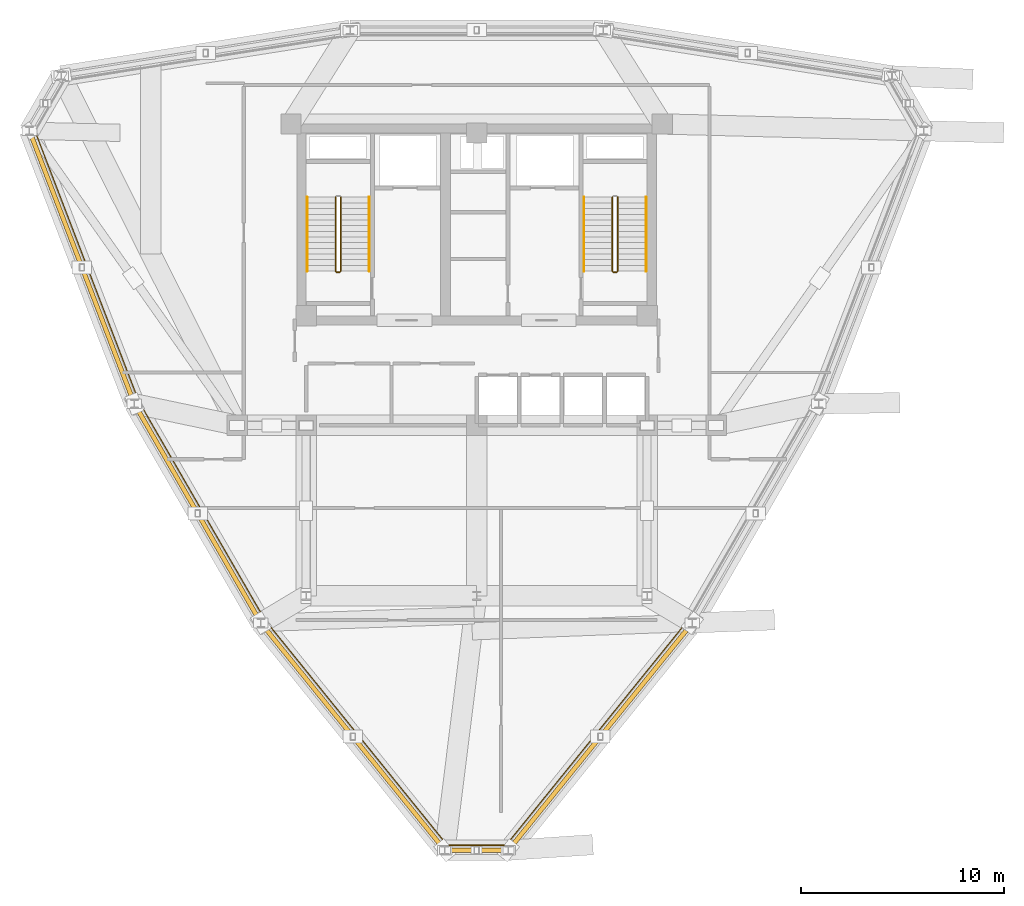
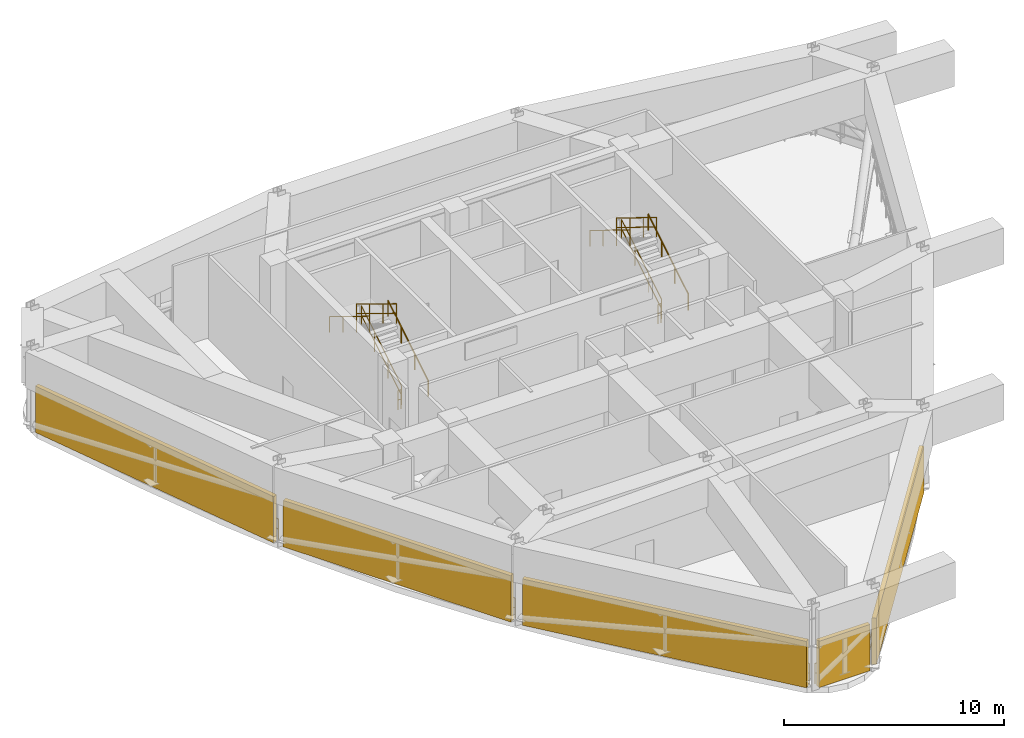
# One storey, part 10 of 12: 15 railings, 5 shading devices.
"""IFC4 building model written with IfcOpenShell, lengths in metres."""

import ifcopenshell
import ifcopenshell.guid

model = None  # the IFC model being written
_history = None  # IfcOwnerHistory: only IFC2X3 demands one
_inside = {}  # id of a spatial element -> (the spatial element, [elements in it])
_under = {}  # id of a project, library or spatial element -> (it, [spatial elements below it])
_declared = {}  # id of a project -> (the project, [libraries it declares])
_typed = {}  # id of a type object -> (the type object, [elements of that type])
_made_of = {}  # id of a material, layer set ... -> (it, [elements and type objects made of it])


def new_model(schema):
    """Start an empty IFC model of exactly this schema.

    Asked for "IFC4X3", IfcOpenShell would pick the latest addendum, in which some entities
    have other attributes; the version numbers below select the first issue.
    IFC2X3 requires an IfcOwnerHistory on every rooted entity: one is made here for all.
    """
    global model, _history
    if schema == "IFC4X3":
        model = ifcopenshell.file(schema_version=(4, 3, 0, 0))
    else:
        model = ifcopenshell.file(schema=schema)
    _inside.clear()
    _under.clear()
    _declared.clear()
    _typed.clear()
    _made_of.clear()
    _history = None
    if model.schema == "IFC2X3":
        org = make("IfcOrganization", Name="unknown")
        user = make(
            "IfcPersonAndOrganization",
            ThePerson=make("IfcPerson", FamilyName="unknown"),
            TheOrganization=org,
        )
        app = make(
            "IfcApplication",
            ApplicationDeveloper=org,
            Version="unknown",
            ApplicationFullName="unknown",
            ApplicationIdentifier="unknown",
        )
        _history = make(
            "IfcOwnerHistory",
            OwningUser=user,
            OwningApplication=app,
            ChangeAction="ADDED",
            CreationDate=0,
        )
    return model


def make(cls, **values):
    """One entity of the class cls with the attributes given. An attribute that is None is left unset."""
    return model.create_entity(
        cls, **{name: value for name, value in values.items() if value is not None}
    )


def rooted(cls, **values):
    """An entity with a GlobalId (a new one), such as an element, a storey or a relation."""
    return make(cls, GlobalId=ifcopenshell.guid.new(), OwnerHistory=_history, **values)


def si_unit(unit_type, name, prefix=None):
    """IfcSIUnit, for example si_unit("LENGTHUNIT", "METRE", prefix="MILLI")."""
    return make("IfcSIUnit", UnitType=unit_type, Prefix=prefix, Name=name)


def derived_unit(unit_type, elements):
    """IfcDerivedUnit: a product of units, each with its exponent."""
    return make(
        "IfcDerivedUnit",
        Elements=[
            make("IfcDerivedUnitElement", Unit=unit, Exponent=power)
            for unit, power in elements
        ],
        UnitType=unit_type,
    )


def assignment(units):
    """IfcUnitAssignment: the units of a project."""
    return None if units is None else make("IfcUnitAssignment", Units=units)


def point(xyz):
    """IfcCartesianPoint."""
    return None if xyz is None else make("IfcCartesianPoint", Coordinates=xyz)


def direction(xyz):
    """IfcDirection."""
    return None if xyz is None else make("IfcDirection", DirectionRatios=xyz)


def frame(location, z_axis=None, x_axis=None):
    """IfcAxis2Placement3D, a coordinate frame: its origin and axes. An axis left out is left unset."""
    return make(
        "IfcAxis2Placement3D",
        Location=point(location),
        Axis=direction(z_axis),
        RefDirection=direction(x_axis),
    )


def frame_2d(location, x_axis=None):
    """IfcAxis2Placement2D, a coordinate frame in the plane: its origin and x axis."""
    return make(
        "IfcAxis2Placement2D", Location=point(location), RefDirection=direction(x_axis)
    )


def origin():
    """The frame at (0, 0, 0) with its axes left unset."""
    return frame((0.0, 0.0, 0.0))


def origin_2d():
    """The frame at (0, 0) in the plane with its x axis left unset."""
    return frame_2d((0.0, 0.0))


def place(relative_to, where):
    """IfcLocalPlacement: puts the frame where relative to a parent placement (None: the world)."""
    return make(
        "IfcLocalPlacement", PlacementRelTo=relative_to, RelativePlacement=where
    )


def context(
    kind, dimensions, precision=None, world=None, true_north=None, identifier=None
):
    """IfcGeometricRepresentationContext, for example the 3D "Model" context."""
    return make(
        "IfcGeometricRepresentationContext",
        ContextIdentifier=identifier,
        ContextType=kind,
        CoordinateSpaceDimension=dimensions,
        Precision=precision,
        WorldCoordinateSystem=world,
        TrueNorth=true_north,
    )


def subcontext(parent, identifier, kind, view, scale=None):
    """IfcGeometricRepresentationSubContext, for example "Body" below "Model"."""
    return make(
        "IfcGeometricRepresentationSubContext",
        ContextIdentifier=identifier,
        ContextType=kind,
        ParentContext=parent,
        TargetScale=scale,
        TargetView=view,
    )


def project(units=None, contexts=None):
    """IfcProject with its units and contexts."""
    return rooted(
        "IfcProject",
        Name="project",
        RepresentationContexts=contexts,
        UnitsInContext=assignment(units),
    )


def spatial(cls, under=None, at=None, **own):
    """A site, building, storey or space (cls), placed at a placement, below another one or the project."""
    s = rooted(cls, ObjectPlacement=at, **own)
    if under is not None:
        _under.setdefault(under.id(), (under, []))[1].append(s)
    return s


def polyline(points):
    """IfcPolyline through the points."""
    return make("IfcPolyline", Points=[point(p) for p in points])


def profile(cls, at=None, kind="AREA", **sizes):
    """A parametric profile (cls). Its sizes go by their IFC names, for example OverallWidth=200.0."""
    return make(cls, ProfileType=kind, Position=at, **sizes)


def circle(**sizes):
    """IfcCircleProfileDef."""
    return profile("IfcCircleProfileDef", **sizes)


def outline(outer, holes=None, kind="AREA"):
    """IfcArbitraryClosedProfileDef: a profile drawn as a closed curve; with holes, ...WithVoids."""
    if holes is None:
        return make("IfcArbitraryClosedProfileDef", ProfileType=kind, OuterCurve=outer)
    return make(
        "IfcArbitraryProfileDefWithVoids",
        ProfileType=kind,
        OuterCurve=outer,
        InnerCurves=holes,
    )


def extrude(swept, where, along, depth):
    """IfcExtrudedAreaSolid: the profile swept, set in the frame where, extruded along a direction by depth."""
    return make(
        "IfcExtrudedAreaSolid",
        SweptArea=swept,
        Position=where,
        ExtrudedDirection=direction(along),
        Depth=depth,
    )


def shape(context_of_items, identifier, shape_type, items):
    """IfcShapeRepresentation: the items that make up one representation, for example the "Body"."""
    return make(
        "IfcShapeRepresentation",
        ContextOfItems=context_of_items,
        RepresentationIdentifier=identifier,
        RepresentationType=shape_type,
        Items=items,
    )


def material(Name=None, Category=None):
    """IfcMaterial."""
    return make("IfcMaterial", Name=Name, Category=Category)


def layer(
    of_material, thickness, ventilated=None, Name=None, Category=None, Priority=None
):
    """IfcMaterialLayer: one layer of a wall or slab, of a material (None: an air gap)."""
    return make(
        "IfcMaterialLayer",
        Material=of_material,
        LayerThickness=thickness,
        IsVentilated=ventilated,
        Name=Name,
        Category=Category,
        Priority=Priority,
    )


def layer_set(layers, Name=None):
    """IfcMaterialLayerSet."""
    return make("IfcMaterialLayerSet", MaterialLayers=layers, LayerSetName=Name)


def made_of(thing, what):
    """Note that an element or type object is made of a material, layer set ...; save() writes the relation."""
    if what is not None:
        _made_of.setdefault(what.id(), (what, []))[1].append(thing)
    return thing


def type_object(cls, material=None, **own):
    """A type object (cls), such as IfcWallType, which elements share."""
    return made_of(rooted(cls, **own), material)


def element(
    cls,
    number,
    at=None,
    inside=None,
    cuts=None,
    type_object=None,
    material=None,
    context=None,
    identifier="Body",
    shape_type=None,
    held_by="IfcProductDefinitionShape",
    body=None,
    shapes=None,
    **own,
):
    """One element of the class cls, such as IfcWall. Its Tag is "e" and its number.

    at: its placement. inside: the storey or other place that contains it. cuts: it is an
    opening in that element (IfcRelVoidsElement). A single representation is given by context,
    identifier, shape_type and body (its items); several are given by shapes. held_by: the class
    of the entity that holds the representations. save() writes the other relations.
    """
    e = rooted(cls, Tag="e%d" % number, ObjectPlacement=at, **own)
    if body is not None:
        shapes = [shape(context, identifier, shape_type, body)]
    if shapes is not None:
        e.Representation = make(held_by, Representations=shapes)
    if inside is not None:
        _inside.setdefault(inside.id(), (inside, []))[1].append(e)
    if cuts is not None:
        rooted(
            "IfcRelVoidsElement", RelatingBuildingElement=cuts, RelatedOpeningElement=e
        )
    if type_object is not None:
        _typed.setdefault(type_object.id(), (type_object, []))[1].append(e)
    return made_of(e, material)


def aggregate(whole, parts):
    """IfcRelAggregates: a whole, such as a stair, and the parts it consists of."""
    return rooted("IfcRelAggregates", RelatingObject=whole, RelatedObjects=parts)


def save(model, path):
    """Write the relations noted so far, then the file.

    IfcRelAggregates (storeys below a building ...), IfcRelContainedInSpatialStructure (elements
    in a storey), IfcRelDefinesByType, IfcRelAssociatesMaterial and IfcRelDeclares: one each for
    every whole, place, type object, material and project.
    """
    for whole, parts in _under.values():
        aggregate(whole, parts)
    for where, things in _inside.values():
        rooted(
            "IfcRelContainedInSpatialStructure",
            RelatedElements=things,
            RelatingStructure=where,
        )
    for kind, things in _typed.values():
        rooted("IfcRelDefinesByType", RelatedObjects=things, RelatingType=kind)
    for what, things in _made_of.values():
        rooted("IfcRelAssociatesMaterial", RelatedObjects=things, RelatingMaterial=what)
    for by, libraries in _declared.values():
        rooted("IfcRelDeclares", RelatingContext=by, RelatedDefinitions=libraries)
    model.write(path)


model = new_model("IFC4")

# Units and contexts
model_context = context("Model", 3, precision=1e-05, world=origin(), true_north=direction((0.0, 1.0)))
body_context = subcontext(model_context, "Body", "Model", "MODEL_VIEW")
ifc_project = project(units=[si_unit("LENGTHUNIT", "METRE"), si_unit("AREAUNIT", "SQUARE_METRE"), si_unit("VOLUMEUNIT", "CUBIC_METRE"), si_unit("PLANEANGLEUNIT", "RADIAN"), si_unit("MASSUNIT", "GRAM", prefix="KILO"), derived_unit("THERMALTRANSMITTANCEUNIT", [(si_unit("POWERUNIT", "WATT"), 1), (si_unit("LENGTHUNIT", "METRE"), -2), (si_unit("THERMODYNAMICTEMPERATUREUNIT", "KELVIN"), -1)])], contexts=[model_context])

# Site, building, storey
site_placement = place(None, origin())
site = spatial("IfcSite", under=ifc_project, at=site_placement, CompositionType="ELEMENT")
building_placement = place(site_placement, origin())
building = spatial("IfcBuilding", under=site, at=building_placement, Name="Korsvarv Bourse and Concert Hall", CompositionType="ELEMENT")
storey_placement = place(building_placement, frame((0.0, 0.0, 201.0)))
storey = spatial("IfcBuildingStorey", under=building, at=storey_placement, Name="L52", CompositionType="ELEMENT", Elevation=201.0)

# Railings
ifc_material_1 = material(Name="Laminated safety glass and stainless Steel S355 balustrade", Category="steel")
railing_type_1 = type_object("IfcRailingType", Name="RL-BAL-EXT", PredefinedType="BALUSTRADE", material=ifc_material_1)
railing_1_placement = place(storey_placement, frame((14.290771484375, 46.774169921875, 0.0)))
element("IfcRailing", 1, at=railing_1_placement, inside=storey, type_object=railing_type_1, Name="L52 Refuge Band Perimeter Safety Balustrade 6", PredefinedType="BALUSTRADE", context=body_context, shape_type="SweptSolid", body=[
    extrude(circle(Radius=0.02392578125, at=origin_2d()), frame((0.0, 0.0, 1.1259765625), z_axis=(0.358686430799, -0.933458110662, 0.0), x_axis=(0.933458110662, 0.358686430799, 0.0)), (0.0, 0.0, 1.0), 13.920654296875),
    extrude(circle(Radius=0.02392578125, at=origin_2d()), frame((0.0, 0.0, 0.574951171875), z_axis=(0.358686430799, -0.933458110662, 0.0), x_axis=(0.933458110662, 0.358686430799, 0.0)), (0.0, 0.0, 1.0), 13.920654296875),
    extrude(circle(Radius=0.02099609375, at=origin_2d()), origin(), (0.0, 0.0, 1.0), 1.101806640625),
    extrude(circle(Radius=0.02099609375, at=origin_2d()), frame((0.453857421875, -1.181396484375, 0.0)), (0.0, 0.0, 1.0), 1.101806640625),
    extrude(circle(Radius=0.02099609375, at=origin_2d()), frame((0.907958984375, -2.362548828125, 0.0)), (0.0, 0.0, 1.0), 1.101806640625),
    extrude(circle(Radius=0.02099609375, at=origin_2d()), frame((1.36181640625, -3.5439453125, 0.0)), (0.0, 0.0, 1.0), 1.101806640625),
    extrude(circle(Radius=0.02099609375, at=origin_2d()), frame((1.815673828125, -4.725341796875, 0.0)), (0.0, 0.0, 1.0), 1.101806640625),
    extrude(circle(Radius=0.02099609375, at=origin_2d()), frame((2.26953125, -5.906494140625, 0.0)), (0.0, 0.0, 1.0), 1.101806640625),
    extrude(circle(Radius=0.02099609375, at=origin_2d()), frame((2.7236328125, -7.087890625, 0.0)), (0.0, 0.0, 1.0), 1.101806640625),
    extrude(circle(Radius=0.02099609375, at=origin_2d()), frame((3.177490234375, -8.26904296875, 0.0)), (0.0, 0.0, 1.0), 1.101806640625),
    extrude(circle(Radius=0.02099609375, at=origin_2d()), frame((3.63134765625, -9.450439453125, 0.0)), (0.0, 0.0, 1.0), 1.101806640625),
    extrude(circle(Radius=0.02099609375, at=origin_2d()), frame((4.085205078125, -10.6318359375, 0.0)), (0.0, 0.0, 1.0), 1.101806640625),
    extrude(circle(Radius=0.02099609375, at=origin_2d()), frame((4.539306640625, -11.81298828125, 0.0)), (0.0, 0.0, 1.0), 1.101806640625),
    extrude(circle(Radius=0.02099609375, at=origin_2d()), frame((4.9931640625, -12.994384765625, 0.0)), (0.0, 0.0, 1.0), 1.101806640625),
])
railing_2_placement = place(storey_placement, frame((19.486083984375, 33.359130859375, 0.0)))
element("IfcRailing", 2, at=railing_2_placement, inside=storey, type_object=railing_type_1, Name="L52 Refuge Band Perimeter Safety Balustrade 7", PredefinedType="BALUSTRADE", context=body_context, shape_type="SweptSolid", body=[
    extrude(circle(Radius=0.02392578125, at=origin_2d()), frame((0.0, 0.0, 1.1259765625), z_axis=(0.500007423246, -0.866021117929, 0.0), x_axis=(0.866021117929, 0.500007423246, 0.0)), (0.0, 0.0, 1.0), 11.939697265625),
    extrude(circle(Radius=0.02392578125, at=origin_2d()), frame((0.0, 0.0, 0.574951171875), z_axis=(0.500007423246, -0.866021117929, 0.0), x_axis=(0.866021117929, 0.500007423246, 0.0)), (0.0, 0.0, 1.0), 11.939697265625),
    extrude(circle(Radius=0.02099609375, at=origin_2d()), origin(), (0.0, 0.0, 1.0), 1.101806640625),
    extrude(circle(Radius=0.02099609375, at=origin_2d()), frame((0.663330078125, -1.14892578125, 0.0)), (0.0, 0.0, 1.0), 1.101806640625),
    extrude(circle(Radius=0.02099609375, at=origin_2d()), frame((1.32666015625, -2.2978515625, 0.0)), (0.0, 0.0, 1.0), 1.101806640625),
    extrude(circle(Radius=0.02099609375, at=origin_2d()), frame((1.989990234375, -3.44677734375, 0.0)), (0.0, 0.0, 1.0), 1.101806640625),
    extrude(circle(Radius=0.02099609375, at=origin_2d()), frame((2.6533203125, -4.595703125, 0.0)), (0.0, 0.0, 1.0), 1.101806640625),
    extrude(circle(Radius=0.02099609375, at=origin_2d()), frame((3.316650390625, -5.744384765625, 0.0)), (0.0, 0.0, 1.0), 1.101806640625),
    extrude(circle(Radius=0.02099609375, at=origin_2d()), frame((3.97998046875, -6.893310546875, 0.0)), (0.0, 0.0, 1.0), 1.101806640625),
    extrude(circle(Radius=0.02099609375, at=origin_2d()), frame((4.643310546875, -8.042236328125, 0.0)), (0.0, 0.0, 1.0), 1.101806640625),
    extrude(circle(Radius=0.02099609375, at=origin_2d()), frame((5.306640625, -9.191162109375, 0.0)), (0.0, 0.0, 1.0), 1.101806640625),
    extrude(circle(Radius=0.02099609375, at=origin_2d()), frame((5.969970703125, -10.340087890625, 0.0)), (0.0, 0.0, 1.0), 1.101806640625),
])
railing_3_placement = place(storey_placement, frame((25.75, 22.595458984375, 0.0)))
element("IfcRailing", 3, at=railing_3_placement, inside=storey, type_object=railing_type_1, Name="L52 Refuge Band Perimeter Safety Balustrade 8", PredefinedType="BALUSTRADE", context=body_context, shape_type="SweptSolid", body=[
    extrude(circle(Radius=0.02392578125, at=origin_2d()), frame((0.0, 0.0, 1.1259765625), z_axis=(0.629051376401, -0.777363728153, 0.0), x_axis=(0.777363728153, 0.629051376401, 0.0)), (0.0, 0.0, 1.0), 13.822509765625),
    extrude(circle(Radius=0.02392578125, at=origin_2d()), frame((0.0, 0.0, 0.574951171875), z_axis=(0.629051376401, -0.777363728153, 0.0), x_axis=(0.777363728153, 0.629051376401, 0.0)), (0.0, 0.0, 1.0), 13.822509765625),
    extrude(circle(Radius=0.02099609375, at=origin_2d()), origin(), (0.0, 0.0, 1.0), 1.101806640625),
    extrude(circle(Radius=0.02099609375, at=origin_2d()), frame((0.79052734375, -0.976806640625, 0.0)), (0.0, 0.0, 1.0), 1.101806640625),
    extrude(circle(Radius=0.02099609375, at=origin_2d()), frame((1.580810546875, -1.95361328125, 0.0)), (0.0, 0.0, 1.0), 1.101806640625),
    extrude(circle(Radius=0.02099609375, at=origin_2d()), frame((2.371337890625, -2.930419921875, 0.0)), (0.0, 0.0, 1.0), 1.101806640625),
    extrude(circle(Radius=0.02099609375, at=origin_2d()), frame((3.161865234375, -3.9072265625, 0.0)), (0.0, 0.0, 1.0), 1.101806640625),
    extrude(circle(Radius=0.02099609375, at=origin_2d()), frame((3.952392578125, -4.884033203125, 0.0)), (0.0, 0.0, 1.0), 1.101806640625),
    extrude(circle(Radius=0.02099609375, at=origin_2d()), frame((4.74267578125, -5.861083984375, 0.0)), (0.0, 0.0, 1.0), 1.101806640625),
    extrude(circle(Radius=0.02099609375, at=origin_2d()), frame((5.533203125, -6.837890625, 0.0)), (0.0, 0.0, 1.0), 1.101806640625),
    extrude(circle(Radius=0.02099609375, at=origin_2d()), frame((6.32373046875, -7.814697265625, 0.0)), (0.0, 0.0, 1.0), 1.101806640625),
    extrude(circle(Radius=0.02099609375, at=origin_2d()), frame((7.1142578125, -8.79150390625, 0.0)), (0.0, 0.0, 1.0), 1.101806640625),
    extrude(circle(Radius=0.02099609375, at=origin_2d()), frame((7.904541015625, -9.768310546875, 0.0)), (0.0, 0.0, 1.0), 1.101806640625),
    extrude(circle(Radius=0.02099609375, at=origin_2d()), frame((8.695068359375, -10.7451171875, 0.0)), (0.0, 0.0, 1.0), 1.101806640625),
])
railing_4_placement = place(storey_placement, frame((34.658203125, 11.715087890625, 0.0)))
element("IfcRailing", 4, at=railing_4_placement, inside=storey, type_object=railing_type_1, Name="L52 Refuge Band Perimeter Safety Balustrade 9", PredefinedType="BALUSTRADE", context=body_context, shape_type="SweptSolid", body=[
    extrude(circle(Radius=0.02392578125, at=origin_2d()), frame((0.0, 0.0, 1.1259765625), z_axis=(1.0, 0.0, 0.0), x_axis=(0.0, 1.0, 0.0)), (0.0, 0.0, 1.0), 2.68359375),
    extrude(circle(Radius=0.02392578125, at=origin_2d()), frame((0.0, 0.0, 0.574951171875), z_axis=(1.0, 0.0, 0.0), x_axis=(0.0, 1.0, 0.0)), (0.0, 0.0, 1.0), 2.68359375),
    extrude(circle(Radius=0.02099609375, at=origin_2d()), origin(), (0.0, 0.0, 1.0), 1.101806640625),
    extrude(circle(Radius=0.02099609375, at=origin_2d()), frame((1.341796875, 0.0, 0.0)), (0.0, 0.0, 1.0), 1.101806640625),
    extrude(circle(Radius=0.02099609375, at=origin_2d()), frame((2.68359375, 0.0, 0.0)), (0.0, 0.0, 1.0), 1.101806640625),
])
railing_5_placement = place(storey_placement, frame((37.554931640625, 11.850341796875, 0.0)))
element("IfcRailing", 5, at=railing_5_placement, inside=storey, type_object=railing_type_1, Name="L52 Refuge Band Perimeter Safety Balustrade 10", PredefinedType="BALUSTRADE", context=body_context, shape_type="SweptSolid", body=[
    extrude(circle(Radius=0.02392578125, at=origin_2d()), frame((0.0, 0.0, 1.1259765625), z_axis=(0.629051376401, 0.777363728153, 0.0), x_axis=(-0.777363728153, 0.629051376401, 0.0)), (0.0, 0.0, 1.0), 13.822509765625),
    extrude(circle(Radius=0.02392578125, at=origin_2d()), frame((0.0, 0.0, 0.574951171875), z_axis=(0.629051376401, 0.777363728153, 0.0), x_axis=(-0.777363728153, 0.629051376401, 0.0)), (0.0, 0.0, 1.0), 13.822509765625),
    extrude(circle(Radius=0.02099609375, at=origin_2d()), origin(), (0.0, 0.0, 1.0), 1.101806640625),
    extrude(circle(Radius=0.02099609375, at=origin_2d()), frame((0.79052734375, 0.976806640625, 0.0)), (0.0, 0.0, 1.0), 1.101806640625),
    extrude(circle(Radius=0.02099609375, at=origin_2d()), frame((1.580810546875, 1.95361328125, 0.0)), (0.0, 0.0, 1.0), 1.101806640625),
    extrude(circle(Radius=0.02099609375, at=origin_2d()), frame((2.371337890625, 2.930419921875, 0.0)), (0.0, 0.0, 1.0), 1.101806640625),
    extrude(circle(Radius=0.02099609375, at=origin_2d()), frame((3.161865234375, 3.9072265625, 0.0)), (0.0, 0.0, 1.0), 1.101806640625),
    extrude(circle(Radius=0.02099609375, at=origin_2d()), frame((3.952392578125, 4.884033203125, 0.0)), (0.0, 0.0, 1.0), 1.101806640625),
    extrude(circle(Radius=0.02099609375, at=origin_2d()), frame((4.74267578125, 5.861083984375, 0.0)), (0.0, 0.0, 1.0), 1.101806640625),
    extrude(circle(Radius=0.02099609375, at=origin_2d()), frame((5.533203125, 6.837890625, 0.0)), (0.0, 0.0, 1.0), 1.101806640625),
    extrude(circle(Radius=0.02099609375, at=origin_2d()), frame((6.32373046875, 7.814697265625, 0.0)), (0.0, 0.0, 1.0), 1.101806640625),
    extrude(circle(Radius=0.02099609375, at=origin_2d()), frame((7.1142578125, 8.79150390625, 0.0)), (0.0, 0.0, 1.0), 1.101806640625),
    extrude(circle(Radius=0.02099609375, at=origin_2d()), frame((7.904541015625, 9.768310546875, 0.0)), (0.0, 0.0, 1.0), 1.101806640625),
    extrude(circle(Radius=0.02099609375, at=origin_2d()), frame((8.695068359375, 10.7451171875, 0.0)), (0.0, 0.0, 1.0), 1.101806640625),
])
ifc_material_2 = material(Name="Painted Steel S355 stair well guardrail", Category="steel")
railing_type_2 = type_object("IfcRailingType", Name="RL-ST-GRD", PredefinedType="GUARDRAIL", material=ifc_material_2)
railing_6_placement = place(storey_placement, frame((29.31005859375, 40.0, 0.17138671875)))
element("IfcRailing", 6, at=railing_6_placement, inside=storey, type_object=railing_type_2, Name="L52 ST-T1 stair guard 1", PredefinedType="GUARDRAIL", context=body_context, shape_type="SweptSolid", body=[
    extrude(circle(Radius=0.02392578125, at=origin_2d()), frame((0.0, 0.0, 1.076171875), z_axis=(0.0, 0.852850264322, 0.5221555579), x_axis=(-1.0, 0.0, 0.0)), (0.0, 0.0, 1.0), 4.267822265625),
    extrude(circle(Radius=0.02392578125, at=origin_2d()), frame((0.0, 0.0, 0.550048828125), z_axis=(0.0, 0.852850264322, 0.5221555579), x_axis=(-1.0, 0.0, 0.0)), (0.0, 0.0, 1.0), 4.267822265625),
    extrude(circle(Radius=0.02099609375, at=origin_2d()), origin(), (0.0, 0.0, 1.0), 1.052001953125),
    extrude(circle(Radius=0.02099609375, at=origin_2d()), frame((0.0, 1.21337890625, 0.742919921875)), (0.0, 0.0, 1.0), 1.052001953125),
    extrude(circle(Radius=0.02099609375, at=origin_2d()), frame((0.0, 2.426513671875, 1.485595703125)), (0.0, 0.0, 1.0), 1.052001953125),
    extrude(circle(Radius=0.02099609375, at=origin_2d()), frame((0.0, 3.639892578125, 2.228515625)), (0.0, 0.0, 1.0), 1.052001953125),
])
railing_7_placement = place(storey_placement, frame((29.050048828125, 43.639892578125, 2.571533203125)))
element("IfcRailing", 7, at=railing_7_placement, inside=storey, type_object=railing_type_2, Name="L52 ST-T1 stair guard 3", PredefinedType="GUARDRAIL", context=body_context, shape_type="SweptSolid", body=[
    extrude(circle(Radius=0.02392578125, at=origin_2d()), frame((0.0, 0.0, 1.076171875), z_axis=(0.0, -0.852850264322, 0.5221555579), x_axis=(1.0, 0.0, 0.0)), (0.0, 0.0, 1.0), 4.267822265625),
    extrude(circle(Radius=0.02392578125, at=origin_2d()), frame((0.0, 0.0, 0.550048828125), z_axis=(0.0, -0.852850264322, 0.5221555579), x_axis=(1.0, 0.0, 0.0)), (0.0, 0.0, 1.0), 4.267822265625),
    extrude(circle(Radius=0.02099609375, at=origin_2d()), origin(), (0.0, 0.0, 1.0), 1.052001953125),
    extrude(circle(Radius=0.02099609375, at=origin_2d()), frame((0.0, -1.21337890625, 0.742919921875)), (0.0, 0.0, 1.0), 1.052001953125),
    extrude(circle(Radius=0.02099609375, at=origin_2d()), frame((0.0, -2.426513671875, 1.485595703125)), (0.0, 0.0, 1.0), 1.052001953125),
    extrude(circle(Radius=0.02099609375, at=origin_2d()), frame((0.0, -3.639892578125, 2.228515625)), (0.0, 0.0, 1.0), 1.052001953125),
])
railing_8_placement = place(storey_placement, frame((29.260009765625, 39.949951171875, 0.0)))
element("IfcRailing", 8, at=railing_8_placement, inside=storey, type_object=railing_type_2, Name="L52 ST-T1 stair guard 4", PredefinedType="GUARDRAIL", context=body_context, shape_type="SweptSolid", body=[
    extrude(circle(Radius=0.02392578125, at=origin_2d()), frame((0.0, 0.0, 1.076171875), z_axis=(-1.0, 0.0, 0.0), x_axis=(0.0, -1.0, 0.0)), (0.0, 0.0, 1.0), 0.159912109375),
    extrude(circle(Radius=0.02392578125, at=origin_2d()), frame((0.0, 0.0, 0.550048828125), z_axis=(-1.0, 0.0, 0.0), x_axis=(0.0, -1.0, 0.0)), (0.0, 0.0, 1.0), 0.159912109375),
    extrude(circle(Radius=0.02099609375, at=origin_2d()), origin(), (0.0, 0.0, 1.0), 1.052001953125),
    extrude(circle(Radius=0.02099609375, at=origin_2d()), frame((-0.159912109375, 0.0, 0.0)), (0.0, 0.0, 1.0), 1.052001953125),
])
railing_9_placement = place(storey_placement, frame((42.949951171875, 40.0, 0.17138671875)))
element("IfcRailing", 9, at=railing_9_placement, inside=storey, type_object=railing_type_2, Name="L52 ST-T2 stair guard 1", PredefinedType="GUARDRAIL", context=body_context, shape_type="SweptSolid", body=[
    extrude(circle(Radius=0.02392578125, at=origin_2d()), frame((0.0, 0.0, 1.076171875), z_axis=(0.0, 0.852850264322, 0.5221555579), x_axis=(-1.0, 0.0, 0.0)), (0.0, 0.0, 1.0), 4.267822265625),
    extrude(circle(Radius=0.02392578125, at=origin_2d()), frame((0.0, 0.0, 0.550048828125), z_axis=(0.0, 0.852850264322, 0.5221555579), x_axis=(-1.0, 0.0, 0.0)), (0.0, 0.0, 1.0), 4.267822265625),
    extrude(circle(Radius=0.02099609375, at=origin_2d()), origin(), (0.0, 0.0, 1.0), 1.052001953125),
    extrude(circle(Radius=0.02099609375, at=origin_2d()), frame((0.0, 1.21337890625, 0.742919921875)), (0.0, 0.0, 1.0), 1.052001953125),
    extrude(circle(Radius=0.02099609375, at=origin_2d()), frame((0.0, 2.426513671875, 1.485595703125)), (0.0, 0.0, 1.0), 1.052001953125),
    extrude(circle(Radius=0.02099609375, at=origin_2d()), frame((0.0, 3.639892578125, 2.228515625)), (0.0, 0.0, 1.0), 1.052001953125),
])
railing_10_placement = place(storey_placement, frame((42.68994140625, 43.639892578125, 2.571533203125)))
element("IfcRailing", 10, at=railing_10_placement, inside=storey, type_object=railing_type_2, Name="L52 ST-T2 stair guard 3", PredefinedType="GUARDRAIL", context=body_context, shape_type="SweptSolid", body=[
    extrude(circle(Radius=0.02392578125, at=origin_2d()), frame((0.0, 0.0, 1.076171875), z_axis=(0.0, -0.852850264322, 0.5221555579), x_axis=(1.0, 0.0, 0.0)), (0.0, 0.0, 1.0), 4.267822265625),
    extrude(circle(Radius=0.02392578125, at=origin_2d()), frame((0.0, 0.0, 0.550048828125), z_axis=(0.0, -0.852850264322, 0.5221555579), x_axis=(1.0, 0.0, 0.0)), (0.0, 0.0, 1.0), 4.267822265625),
    extrude(circle(Radius=0.02099609375, at=origin_2d()), origin(), (0.0, 0.0, 1.0), 1.052001953125),
    extrude(circle(Radius=0.02099609375, at=origin_2d()), frame((0.0, -1.21337890625, 0.742919921875)), (0.0, 0.0, 1.0), 1.052001953125),
    extrude(circle(Radius=0.02099609375, at=origin_2d()), frame((0.0, -2.426513671875, 1.485595703125)), (0.0, 0.0, 1.0), 1.052001953125),
    extrude(circle(Radius=0.02099609375, at=origin_2d()), frame((0.0, -3.639892578125, 2.228515625)), (0.0, 0.0, 1.0), 1.052001953125),
])
railing_11_placement = place(storey_placement, frame((42.89990234375, 39.949951171875, 0.0)))
element("IfcRailing", 11, at=railing_11_placement, inside=storey, type_object=railing_type_2, Name="L52 ST-T2 stair guard 4", PredefinedType="GUARDRAIL", context=body_context, shape_type="SweptSolid", body=[
    extrude(circle(Radius=0.02392578125, at=origin_2d()), frame((0.0, 0.0, 1.076171875), z_axis=(-1.0, 0.0, 0.0), x_axis=(0.0, -1.0, 0.0)), (0.0, 0.0, 1.0), 0.159912109375),
    extrude(circle(Radius=0.02392578125, at=origin_2d()), frame((0.0, 0.0, 0.550048828125), z_axis=(-1.0, 0.0, 0.0), x_axis=(0.0, -1.0, 0.0)), (0.0, 0.0, 1.0), 0.159912109375),
    extrude(circle(Radius=0.02099609375, at=origin_2d()), origin(), (0.0, 0.0, 1.0), 1.052001953125),
    extrude(circle(Radius=0.02099609375, at=origin_2d()), frame((-0.159912109375, 0.0, 0.0)), (0.0, 0.0, 1.0), 1.052001953125),
])
ifc_material_3 = material(Name="Brushed stainless Steel S355 tubular handrail", Category="steel")
railing_type_3 = type_object("IfcRailingType", Name="RL-ST-HND", PredefinedType="HANDRAIL", material=ifc_material_3)
railing_12_placement = place(storey_placement, frame((30.7099609375, 40.0, 0.17138671875)))
element("IfcRailing", 12, at=railing_12_placement, inside=storey, type_object=railing_type_3, Name="L52 ST-T1 stair handrail 1", PredefinedType="HANDRAIL", context=body_context, shape_type="SweptSolid", body=[
    extrude(circle(Radius=0.02392578125, at=origin_2d()), frame((0.0, 0.0, 0.8759765625), z_axis=(0.0, 0.852850264322, 0.5221555579), x_axis=(-1.0, 0.0, 0.0)), (0.0, 0.0, 1.0), 4.267822265625),
    extrude(circle(Radius=0.02099609375, at=origin_2d()), origin(), (0.0, 0.0, 1.0), 0.851806640625),
    extrude(circle(Radius=0.02099609375, at=origin_2d()), frame((0.0, 1.21337890625, 0.742919921875)), (0.0, 0.0, 1.0), 0.851806640625),
    extrude(circle(Radius=0.02099609375, at=origin_2d()), frame((0.0, 2.426513671875, 1.485595703125)), (0.0, 0.0, 1.0), 0.851806640625),
    extrude(circle(Radius=0.02099609375, at=origin_2d()), frame((0.0, 3.639892578125, 2.228515625)), (0.0, 0.0, 1.0), 0.851806640625),
])
railing_13_placement = place(storey_placement, frame((27.64990234375, 43.639892578125, 2.571533203125)))
element("IfcRailing", 13, at=railing_13_placement, inside=storey, type_object=railing_type_3, Name="L52 ST-T1 stair handrail 2", PredefinedType="HANDRAIL", context=body_context, shape_type="SweptSolid", body=[
    extrude(circle(Radius=0.02392578125, at=origin_2d()), frame((0.0, 0.0, 0.8759765625), z_axis=(0.0, -0.852850264322, 0.5221555579), x_axis=(1.0, 0.0, 0.0)), (0.0, 0.0, 1.0), 4.267822265625),
    extrude(circle(Radius=0.02099609375, at=origin_2d()), origin(), (0.0, 0.0, 1.0), 0.851806640625),
    extrude(circle(Radius=0.02099609375, at=origin_2d()), frame((0.0, -1.21337890625, 0.742919921875)), (0.0, 0.0, 1.0), 0.851806640625),
    extrude(circle(Radius=0.02099609375, at=origin_2d()), frame((0.0, -2.426513671875, 1.485595703125)), (0.0, 0.0, 1.0), 0.851806640625),
    extrude(circle(Radius=0.02099609375, at=origin_2d()), frame((0.0, -3.639892578125, 2.228515625)), (0.0, 0.0, 1.0), 0.851806640625),
])
railing_14_placement = place(storey_placement, frame((44.35009765625, 40.0, 0.17138671875)))
element("IfcRailing", 14, at=railing_14_placement, inside=storey, type_object=railing_type_3, Name="L52 ST-T2 stair handrail 1", PredefinedType="HANDRAIL", context=body_context, shape_type="SweptSolid", body=[
    extrude(circle(Radius=0.02392578125, at=origin_2d()), frame((0.0, 0.0, 0.8759765625), z_axis=(0.0, 0.852850264322, 0.5221555579), x_axis=(-1.0, 0.0, 0.0)), (0.0, 0.0, 1.0), 4.267822265625),
    extrude(circle(Radius=0.02099609375, at=origin_2d()), origin(), (0.0, 0.0, 1.0), 0.851806640625),
    extrude(circle(Radius=0.02099609375, at=origin_2d()), frame((0.0, 1.21337890625, 0.742919921875)), (0.0, 0.0, 1.0), 0.851806640625),
    extrude(circle(Radius=0.02099609375, at=origin_2d()), frame((0.0, 2.426513671875, 1.485595703125)), (0.0, 0.0, 1.0), 0.851806640625),
    extrude(circle(Radius=0.02099609375, at=origin_2d()), frame((0.0, 3.639892578125, 2.228515625)), (0.0, 0.0, 1.0), 0.851806640625),
])
railing_15_placement = place(storey_placement, frame((41.2900390625, 43.639892578125, 2.571533203125)))
element("IfcRailing", 15, at=railing_15_placement, inside=storey, type_object=railing_type_3, Name="L52 ST-T2 stair handrail 2", PredefinedType="HANDRAIL", context=body_context, shape_type="SweptSolid", body=[
    extrude(circle(Radius=0.02392578125, at=origin_2d()), frame((0.0, 0.0, 0.8759765625), z_axis=(0.0, -0.852850264322, 0.5221555579), x_axis=(1.0, 0.0, 0.0)), (0.0, 0.0, 1.0), 4.267822265625),
    extrude(circle(Radius=0.02099609375, at=origin_2d()), origin(), (0.0, 0.0, 1.0), 0.851806640625),
    extrude(circle(Radius=0.02099609375, at=origin_2d()), frame((0.0, -1.21337890625, 0.742919921875)), (0.0, 0.0, 1.0), 0.851806640625),
    extrude(circle(Radius=0.02099609375, at=origin_2d()), frame((0.0, -2.426513671875, 1.485595703125)), (0.0, 0.0, 1.0), 0.851806640625),
    extrude(circle(Radius=0.02099609375, at=origin_2d()), frame((0.0, -3.639892578125, 2.228515625)), (0.0, 0.0, 1.0), 0.851806640625),
])

# Shading devices
ifc_material_4 = material(Name="Marine-grade powder-coated aluminium acoustic storm louvre", Category="aluminium")
ifc_layer = layer(ifc_material_4, 0.219970703125)
ifc_layer_set = layer_set([ifc_layer], Name="Marine-grade powder-coated aluminium acoustic storm louvre")
shading_device_type = type_object("IfcShadingDeviceType", Name="SHD-LVR-1", PredefinedType="JALOUSIE", material=ifc_layer_set)
shading_device_1_placement = place(storey_placement, origin())
element("IfcShadingDevice", 16, at=shading_device_1_placement, inside=storey, type_object=shading_device_type, Name="L52 Refuge Acoustic Storm Louvre Bay 6", PredefinedType="JALOUSIE", context=body_context, shape_type="SweptSolid", body=[
    extrude(outline(polyline([(14.16015625, 46.723876953125), (19.1533203125, 33.729736328125), (18.94775390625, 33.650634765625), (13.95458984375, 46.64501953125), (14.16015625, 46.723876953125)])), origin(), (0.0, 0.0, 1.0), 2.570068359375),
])
shading_device_2_placement = place(storey_placement, origin())
element("IfcShadingDevice", 17, at=shading_device_2_placement, inside=storey, type_object=shading_device_type, Name="L52 Refuge Acoustic Storm Louvre Bay 7", PredefinedType="JALOUSIE", context=body_context, shape_type="SweptSolid", body=[
    extrude(outline(polyline([(19.364990234375, 33.289306640625), (25.3349609375, 22.94921875), (25.144287109375, 22.839111328125), (19.17431640625, 33.17919921875), (19.364990234375, 33.289306640625)])), origin(), (0.0, 0.0, 1.0), 2.570068359375),
])
shading_device_3_placement = place(storey_placement, origin())
element("IfcShadingDevice", 18, at=shading_device_3_placement, inside=storey, type_object=shading_device_type, Name="L52 Refuge Acoustic Storm Louvre Bay 8", PredefinedType="JALOUSIE", context=body_context, shape_type="SweptSolid", body=[
    extrude(outline(polyline([(25.64111328125, 22.50732421875), (34.336181640625, 11.76220703125), (34.165283203125, 11.623779296875), (25.47021484375, 22.368896484375), (25.64111328125, 22.50732421875)])), origin(), (0.0, 0.0, 1.0), 2.570068359375),
])
shading_device_4_placement = place(storey_placement, origin())
element("IfcShadingDevice", 19, at=shading_device_4_placement, inside=storey, type_object=shading_device_type, Name="L52 Refuge Acoustic Storm Louvre Bay 9", PredefinedType="JALOUSIE", context=body_context, shape_type="SweptSolid", body=[
    extrude(outline(polyline([(34.658203125, 11.5751953125), (37.341796875, 11.5751953125), (37.341796875, 11.35498046875), (34.658203125, 11.35498046875), (34.658203125, 11.5751953125)])), origin(), (0.0, 0.0, 1.0), 2.570068359375),
])
shading_device_5_placement = place(storey_placement, origin())
element("IfcShadingDevice", 20, at=shading_device_5_placement, inside=storey, type_object=shading_device_type, Name="L52 Refuge Acoustic Storm Louvre Bay 10", PredefinedType="JALOUSIE", context=body_context, shape_type="SweptSolid", body=[
    extrude(outline(polyline([(37.663818359375, 11.76220703125), (46.35888671875, 22.50732421875), (46.52978515625, 22.368896484375), (37.834716796875, 11.623779296875), (37.663818359375, 11.76220703125)])), origin(), (0.0, 0.0, 1.0), 2.570068359375),
])

save(model, "model.ifc")
